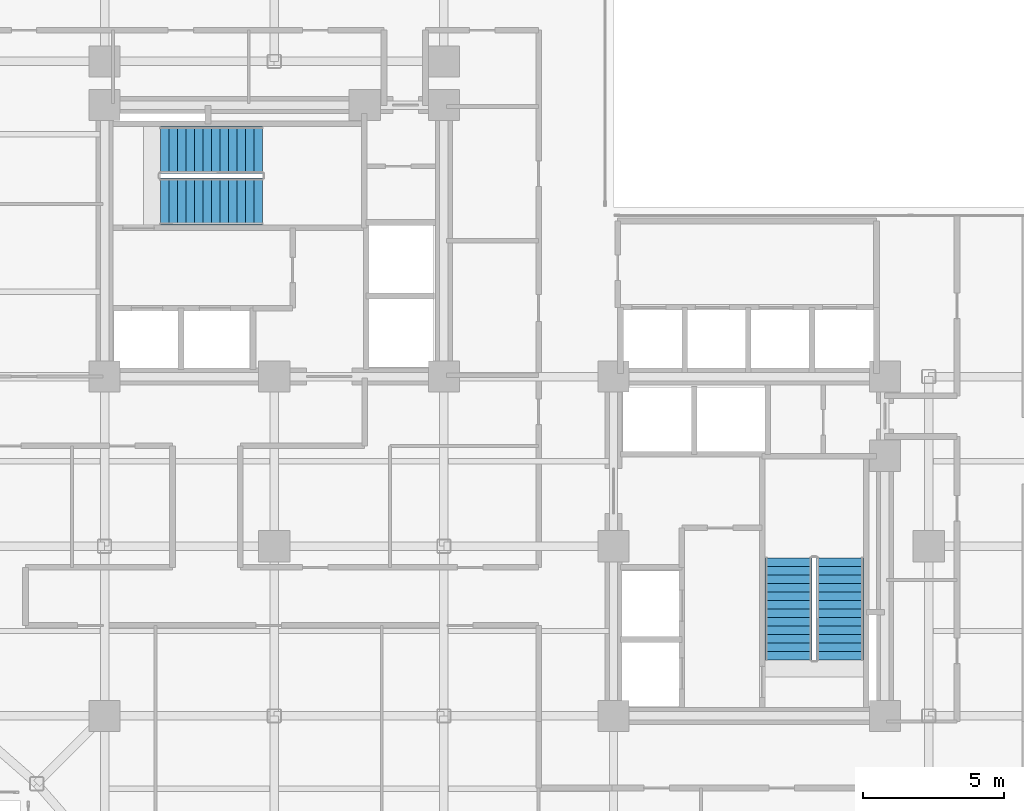
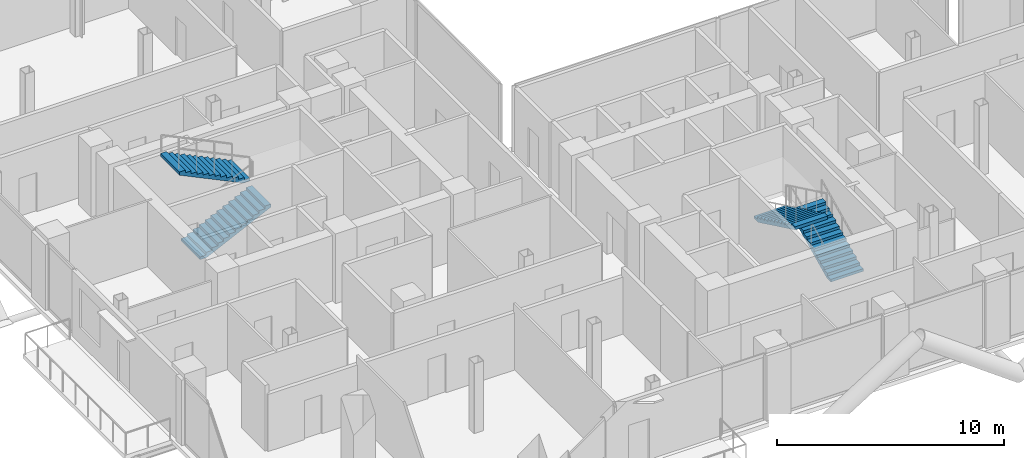
# One storey, part 22 of 24: 4 stair flights, 2 elements without a shape of their own.
"""IFC4 building model written with IfcOpenShell, lengths in metres."""

from ifc_helpers import new_model, si_unit, direction, frame, origin, place, context, subcontext, project, spatial, polyline, outline, extrude, material, type_object, element, aggregate, save


model = new_model("IFC4")

# Units and contexts
model_context = context("Model", 3, precision=1e-05, world=origin(), true_north=direction((0.0, 1.0)))
body_context = subcontext(model_context, "Body", "Model", "MODEL_VIEW")
ifc_project = project(units=[si_unit("LENGTHUNIT", "METRE"), si_unit("AREAUNIT", "SQUARE_METRE"), si_unit("VOLUMEUNIT", "CUBIC_METRE"), si_unit("PLANEANGLEUNIT", "RADIAN"), si_unit("MASSUNIT", "GRAM", prefix="KILO"), si_unit("THERMODYNAMICTEMPERATUREUNIT", "KELVIN"), si_unit("POWERUNIT", "WATT")], contexts=[model_context])

# Site, building, storey
site_placement = place(None, origin())
site = spatial("IfcSite", under=ifc_project, at=site_placement, CompositionType="ELEMENT")
building_placement = place(site_placement, origin())
building = spatial("IfcBuilding", under=site, at=building_placement, Name="Svarakhadi Broadcast Tower", CompositionType="ELEMENT")
storey_placement = place(building_placement, frame((0.0, 0.0, 145.64990234375)))
storey = spatial("IfcBuildingStorey", under=building, at=storey_placement, Name="L35", CompositionType="ELEMENT", Elevation=145.64990234375)

# Stair, stair flights
ifc_material = material(Name="Concrete C40/50 (IS 456 M50)", Category="concrete")
stair_type = type_object("IfcStairType", Name="Stair_Exit_Core", PredefinedType="HALF_TURN_STAIR", material=ifc_material)
stair_1_placement = place(storey_placement, origin())
stair_1 = element("IfcStair", 1, at=stair_1_placement, inside=storey, type_object=stair_type, Name="L35 West Core Protected Exit Stair ST-01", PredefinedType="HALF_TURN_STAIR")
stair_flight_type = type_object("IfcStairFlightType", Name="Flight_RC_1680", PredefinedType="STRAIGHT", material=ifc_material)
stair_flight_1_placement = place(storey_placement, frame((7.97998046875, 24.18994140625, 0.0), z_axis=(0.0, 0.0, 1.0), x_axis=(1.0, 0.0, 0.0)))
stair_flight_1 = element("IfcStairFlight", 2, at=stair_flight_1_placement, type_object=stair_flight_type, Name="ST-01 flight 1", NumberOfRisers=13, NumberOfTreads=12, PredefinedType="STRAIGHT", RiserHeight=0.144230769, TreadLength=0.3, context=body_context, shape_type="SweptSolid", body=[
    extrude(outline(polyline([(0.0, 0.0), (0.0, 0.144287109375), (0.300048828125, 0.144287109375), (0.300048828125, 0.28857421875), (0.60009765625, 0.28857421875), (0.60009765625, 0.4326171875), (0.89990234375, 0.4326171875), (0.89990234375, 0.576904296875), (1.199951171875, 0.576904296875), (1.199951171875, 0.72119140625), (1.5, 0.72119140625), (1.5, 0.865478515625), (1.800048828125, 0.865478515625), (1.800048828125, 1.009521484375), (2.10009765625, 1.009521484375), (2.10009765625, 1.15380859375), (2.39990234375, 1.15380859375), (2.39990234375, 1.298095703125), (2.699951171875, 1.298095703125), (2.699951171875, 1.4423828125), (3.0, 1.4423828125), (3.0, 1.58642578125), (3.300048828125, 1.58642578125), (3.300048828125, 1.730712890625), (3.60009765625, 1.730712890625), (3.60009765625, 1.875), (3.60009765625, 1.564453125), (0.345947265625, 0.0), (0.0, 0.0)])), frame((0.0, 0.830078125, 0.0), z_axis=(0.0, -1.0, 0.0), x_axis=(1.0, 0.0, 0.0)), (0.0, 0.0, 1.0), 1.659912109375),
])
stair_flight_2_placement = place(storey_placement, frame((11.580078125, 26.010009765625, 1.875), z_axis=(0.0, 0.0, 1.0), x_axis=(-1.0, 0.0, 0.0)))
stair_flight_2 = element("IfcStairFlight", 3, at=stair_flight_2_placement, type_object=stair_flight_type, Name="ST-01 flight 2", NumberOfRisers=13, NumberOfTreads=12, PredefinedType="STRAIGHT", RiserHeight=0.144230769, TreadLength=0.3, context=body_context, shape_type="SweptSolid", body=[
    extrude(outline(polyline([(0.0, 0.0), (0.0, 0.144287109375), (0.300048828125, 0.144287109375), (0.300048828125, 0.28857421875), (0.60009765625, 0.28857421875), (0.60009765625, 0.4326171875), (0.89990234375, 0.4326171875), (0.89990234375, 0.576904296875), (1.199951171875, 0.576904296875), (1.199951171875, 0.72119140625), (1.5, 0.72119140625), (1.5, 0.865478515625), (1.800048828125, 0.865478515625), (1.800048828125, 1.009521484375), (2.10009765625, 1.009521484375), (2.10009765625, 1.15380859375), (2.39990234375, 1.15380859375), (2.39990234375, 1.298095703125), (2.699951171875, 1.298095703125), (2.699951171875, 1.4423828125), (3.0, 1.4423828125), (3.0, 1.58642578125), (3.300048828125, 1.58642578125), (3.300048828125, 1.730712890625), (3.60009765625, 1.730712890625), (3.60009765625, 1.875), (3.60009765625, 1.564453125), (0.345947265625, 0.0), (0.0, 0.0)])), frame((0.0, 0.830078125, 0.0), z_axis=(0.0, -1.0, 0.0), x_axis=(1.0, 0.0, 0.0)), (0.0, 0.0, 1.0), 1.659912109375),
])
aggregate(stair_1, [stair_flight_1, stair_flight_2])

stair_2_placement = place(storey_placement, origin())
stair_2 = element("IfcStair", 4, at=stair_2_placement, inside=storey, type_object=stair_type, Name="L35 East Core Protected Exit Stair ST-02", PredefinedType="HALF_TURN_STAIR")
stair_flight_3_placement = place(storey_placement, frame((32.010009765625, 7.97998046875, 0.0), z_axis=(0.0, 0.0, 1.0), x_axis=(0.0, 1.0, 0.0)))
stair_flight_3 = element("IfcStairFlight", 5, at=stair_flight_3_placement, type_object=stair_flight_type, Name="ST-02 flight 1", NumberOfRisers=13, NumberOfTreads=12, PredefinedType="STRAIGHT", RiserHeight=0.144230769, TreadLength=0.3, context=body_context, shape_type="SweptSolid", body=[
    extrude(outline(polyline([(0.0, 0.0), (0.0, 0.144287109375), (0.300048828125, 0.144287109375), (0.300048828125, 0.28857421875), (0.60009765625, 0.28857421875), (0.60009765625, 0.4326171875), (0.89990234375, 0.4326171875), (0.89990234375, 0.576904296875), (1.199951171875, 0.576904296875), (1.199951171875, 0.72119140625), (1.5, 0.72119140625), (1.5, 0.865478515625), (1.800048828125, 0.865478515625), (1.800048828125, 1.009521484375), (2.10009765625, 1.009521484375), (2.10009765625, 1.15380859375), (2.39990234375, 1.15380859375), (2.39990234375, 1.298095703125), (2.699951171875, 1.298095703125), (2.699951171875, 1.4423828125), (3.0, 1.4423828125), (3.0, 1.58642578125), (3.300048828125, 1.58642578125), (3.300048828125, 1.730712890625), (3.60009765625, 1.730712890625), (3.60009765625, 1.875), (3.60009765625, 1.564453125), (0.345947265625, 0.0), (0.0, 0.0)])), frame((0.0, 0.830078125, 0.0), z_axis=(0.0, -1.0, 0.0), x_axis=(1.0, 0.0, 0.0)), (0.0, 0.0, 1.0), 1.659912109375),
])
stair_flight_4_placement = place(storey_placement, frame((30.18994140625, 11.580078125, 1.875), z_axis=(0.0, 0.0, 1.0), x_axis=(0.0, -1.0, 0.0)))
stair_flight_4 = element("IfcStairFlight", 6, at=stair_flight_4_placement, type_object=stair_flight_type, Name="ST-02 flight 2", NumberOfRisers=13, NumberOfTreads=12, PredefinedType="STRAIGHT", RiserHeight=0.144230769, TreadLength=0.3, context=body_context, shape_type="SweptSolid", body=[
    extrude(outline(polyline([(0.0, 0.0), (0.0, 0.144287109375), (0.300048828125, 0.144287109375), (0.300048828125, 0.28857421875), (0.60009765625, 0.28857421875), (0.60009765625, 0.4326171875), (0.89990234375, 0.4326171875), (0.89990234375, 0.576904296875), (1.199951171875, 0.576904296875), (1.199951171875, 0.72119140625), (1.5, 0.72119140625), (1.5, 0.865478515625), (1.800048828125, 0.865478515625), (1.800048828125, 1.009521484375), (2.10009765625, 1.009521484375), (2.10009765625, 1.15380859375), (2.39990234375, 1.15380859375), (2.39990234375, 1.298095703125), (2.699951171875, 1.298095703125), (2.699951171875, 1.4423828125), (3.0, 1.4423828125), (3.0, 1.58642578125), (3.300048828125, 1.58642578125), (3.300048828125, 1.730712890625), (3.60009765625, 1.730712890625), (3.60009765625, 1.875), (3.60009765625, 1.564453125), (0.345947265625, 0.0), (0.0, 0.0)])), frame((0.0, 0.830078125, 0.0), z_axis=(0.0, -1.0, 0.0), x_axis=(1.0, 0.0, 0.0)), (0.0, 0.0, 1.0), 1.659912109375),
])
aggregate(stair_2, [stair_flight_3, stair_flight_4])

save(model, "model.ifc")
